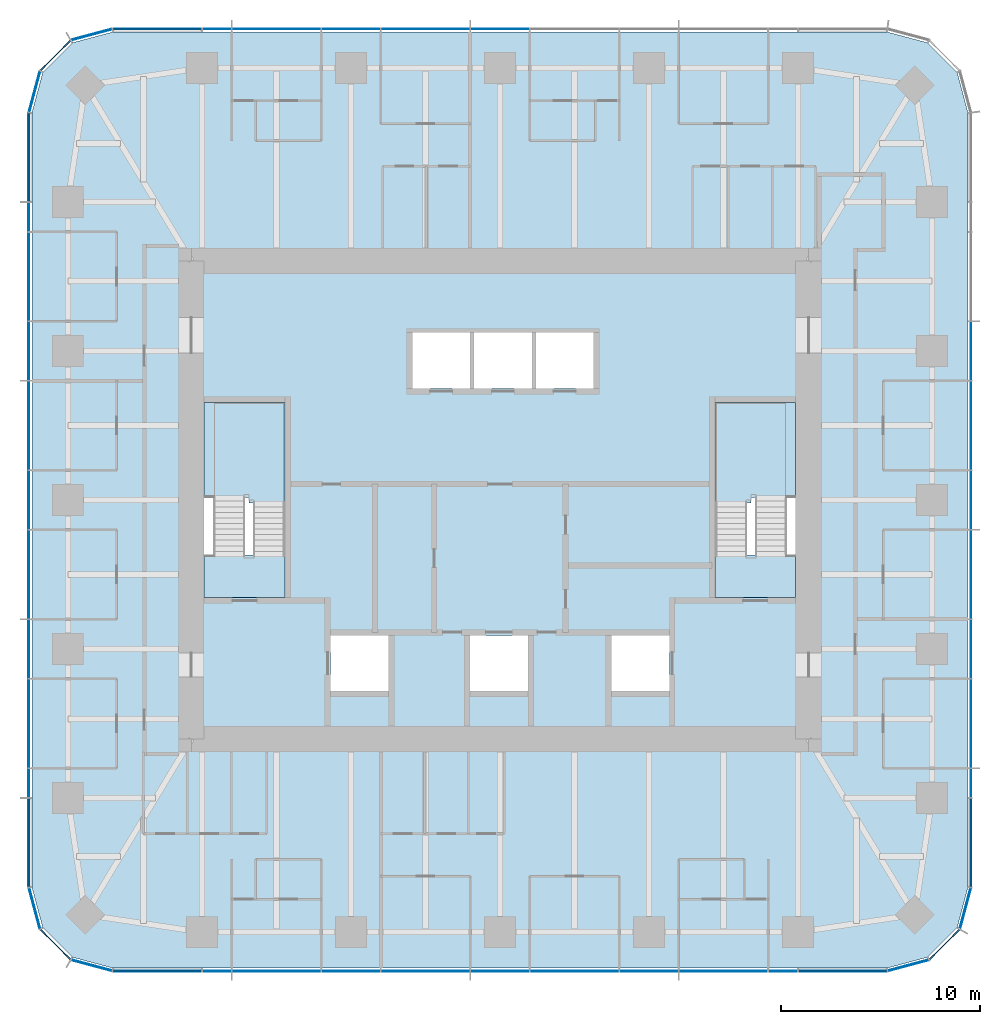
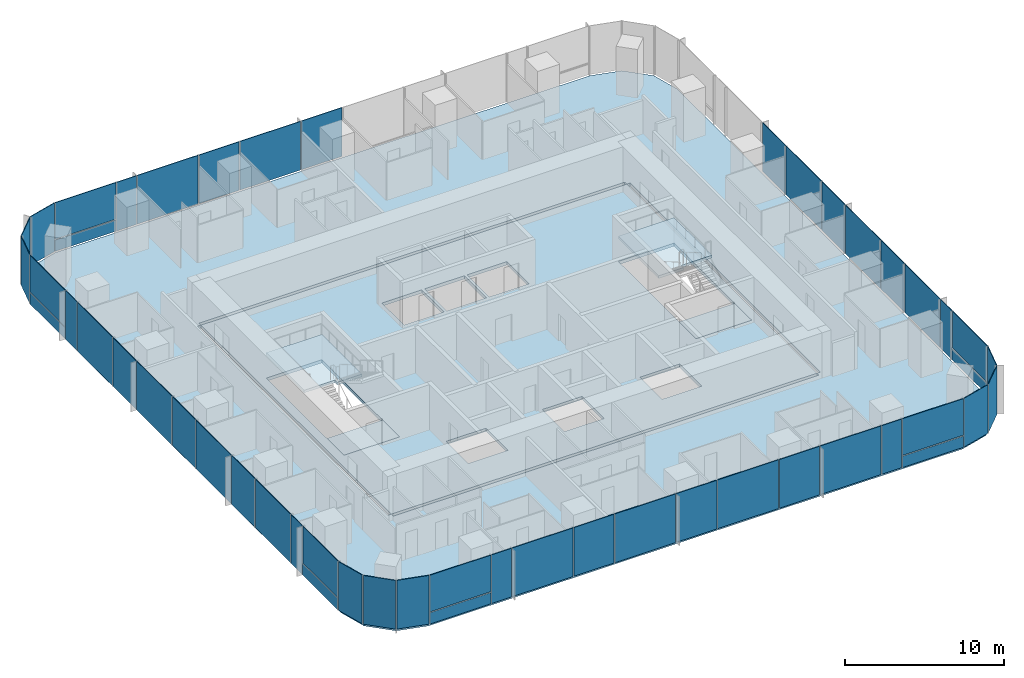
# One storey, part 7 of 12: 51 plates, 6 slabs, 9 elements without a shape of their own.
"""IFC4 building model written with IfcOpenShell, lengths in metres."""

from ifc_helpers import new_model, si_unit, direction, frame, origin, origin_2d, place, context, subcontext, project, spatial, polyline, rectangle, outline, extrude, material, layer, layer_set, type_object, element, aggregate, save


model = new_model("IFC4")

# Units and contexts
model_context = context("Model", 3, precision=1e-05, world=origin(), true_north=direction((0.0, 1.0)))
body_context = subcontext(model_context, "Body", "Model", "MODEL_VIEW")
ifc_project = project(units=[si_unit("LENGTHUNIT", "METRE"), si_unit("AREAUNIT", "SQUARE_METRE"), si_unit("VOLUMEUNIT", "CUBIC_METRE"), si_unit("PLANEANGLEUNIT", "RADIAN"), si_unit("MASSUNIT", "GRAM", prefix="KILO")], contexts=[model_context])

# Site, building, storey
site_placement = place(None, origin())
site = spatial("IfcSite", under=ifc_project, at=site_placement, CompositionType="ELEMENT")
building_placement = place(site_placement, origin())
building = spatial("IfcBuilding", under=site, at=building_placement, Name="Khuree Lantern Residences", CompositionType="ELEMENT")
storey_placement = place(building_placement, frame((0.0, 0.0, 304.5)))
storey = spatial("IfcBuildingStorey", under=building, at=storey_placement, Name="L76", CompositionType="ELEMENT", Elevation=304.5)

# Slab
ifc_material_1 = material(Name="Concrete C35/45", Category="concrete")
ifc_layer_1 = layer(ifc_material_1, 0.25)
ifc_layer_set_1 = layer_set([ifc_layer_1], Name="CFL250 CORE FLOOR SLAB 250")
slab_type_1 = type_object("IfcSlabType", Name="CFL250 CORE FLOOR SLAB 250", PredefinedType="FLOOR", material=ifc_layer_set_1)
slab_1_placement = place(storey_placement, frame((0.0, 0.0, -0.25)))
element("IfcSlab", 1, at=slab_1_placement, inside=storey, type_object=slab_type_1, Name="Core floor L76", PredefinedType="FLOOR", context=body_context, shape_type="SweptSolid", body=[
    extrude(outline(polyline([(-15.5, -12.0), (-15.5, 12.0), (15.5, 12.0), (15.5, -12.0), (-15.5, -12.0)]), holes=[polyline([(10.800048828125, 4.89990234375), (10.800048828125, -4.89990234375), (14.85009765625, -4.89990234375), (14.85009765625, 4.89990234375), (10.800048828125, 4.89990234375)]), polyline([(5.60009765625, -6.800048828125), (5.60009765625, -9.60009765625), (8.5, -9.60009765625), (8.5, -6.800048828125), (5.60009765625, -6.800048828125)]), polyline([(1.800048828125, 8.39990234375), (1.800048828125, 5.60009765625), (4.699951171875, 5.60009765625), (4.699951171875, 8.39990234375), (1.800048828125, 8.39990234375)]), polyline([(-1.300048828125, 8.39990234375), (-1.300048828125, 5.60009765625), (1.60009765625, 5.60009765625), (1.60009765625, 8.39990234375), (-1.300048828125, 8.39990234375)]), polyline([(-1.5, -6.800048828125), (-1.5, -9.60009765625), (1.39990234375, -9.60009765625), (1.39990234375, -6.800048828125), (-1.5, -6.800048828125)]), polyline([(-4.39990234375, 8.39990234375), (-4.39990234375, 5.60009765625), (-1.5, 5.60009765625), (-1.5, 8.39990234375), (-4.39990234375, 8.39990234375)]), polyline([(-8.5, -6.800048828125), (-8.5, -9.60009765625), (-5.60009765625, -9.60009765625), (-5.60009765625, -6.800048828125), (-8.5, -6.800048828125)]), polyline([(-14.85009765625, 4.89990234375), (-14.85009765625, -4.89990234375), (-10.800048828125, -4.89990234375), (-10.800048828125, 4.89990234375), (-14.85009765625, 4.89990234375)])]), origin(), (0.0, 0.0, 1.0), 0.25),
])

# Curtain wall, plates
ifc_material_2 = material(Name="Bronze anodised aluminium", Category="aluminium")
curtain_wall_type_1 = type_object("IfcCurtainWallType", Name="CW-T2 TOWER CORNER CURTAIN WALL", PredefinedType="USERDEFINED", material=ifc_material_2)
curtain_wall_1_placement = place(storey_placement, origin())
curtain_wall_1 = element("IfcCurtainWall", 2, at=curtain_wall_1_placement, inside=storey, type_object=curtain_wall_type_1, Name="L76 SOUTH-EAST CORNER CURTAIN WALL", ObjectType="Faceted corner curtain wall", PredefinedType="USERDEFINED")
ifc_material_3 = material(Name="Bronze tinted triple glazing", Category="glass")
ifc_layer_2 = layer(ifc_material_3, 0.048095703125)
ifc_layer_set_2 = layer_set([ifc_layer_2], Name="FACET PANEL P4")
plate_type_1 = type_object("IfcPlateType", Name="FACET PANEL P4", PredefinedType="CURTAIN_PANEL", material=ifc_layer_set_2)
plate_1_placement = place(storey_placement, frame((20.498046875, -23.369140625, 0.0), z_axis=(0.0, 0.0, 1.0), x_axis=(0.965925861257, 0.2588189146, 0.0)))
plate_1 = element("IfcPlate", 3, at=plate_1_placement, type_object=plate_type_1, Name="L76 SOUTH-EAST CORNER PANEL 1.1", PredefinedType="CURTAIN_PANEL", context=body_context, shape_type="SweptSolid", body=[
    extrude(rectangle(XDim=2.09814453125, YDim=0.048095703125, at=origin_2d()), origin(), (0.0, 0.0, 1.0), 3.75),
])
plate_2_placement = place(storey_placement, frame((22.318603515625, -22.318603515625, 0.0), z_axis=(0.0, 0.0, 1.0), x_axis=(0.707106781187, 0.707106781187, 0.0)))
plate_2 = element("IfcPlate", 4, at=plate_2_placement, type_object=plate_type_1, Name="L76 SOUTH-EAST CORNER PANEL 2.1", PredefinedType="CURTAIN_PANEL", context=body_context, shape_type="SweptSolid", body=[
    extrude(rectangle(XDim=2.093994140625, YDim=0.048095703125, at=origin_2d()), origin(), (0.0, 0.0, 1.0), 3.75),
])
plate_3_placement = place(storey_placement, frame((23.369140625, -20.498046875, 0.0), z_axis=(0.0, 0.0, 1.0), x_axis=(0.2588189146, 0.965925861257, 0.0)))
plate_3 = element("IfcPlate", 5, at=plate_3_placement, type_object=plate_type_1, Name="L76 SOUTH-EAST CORNER PANEL 3.1", PredefinedType="CURTAIN_PANEL", context=body_context, shape_type="SweptSolid", body=[
    extrude(rectangle(XDim=2.09814453125, YDim=0.048095703125, at=origin_2d()), origin(), (0.0, 0.0, 1.0), 3.75),
])
aggregate(curtain_wall_1, [plate_1, plate_2, plate_3])

curtain_wall_2_placement = place(storey_placement, origin())
curtain_wall_2 = element("IfcCurtainWall", 6, at=curtain_wall_2_placement, inside=storey, type_object=curtain_wall_type_1, Name="L76 NORTH-WEST CORNER CURTAIN WALL", ObjectType="Faceted corner curtain wall", PredefinedType="USERDEFINED")
plate_4_placement = place(storey_placement, frame((-20.498046875, 23.369140625, 0.0), z_axis=(0.0, 0.0, 1.0), x_axis=(-0.965925861257, -0.2588189146, 0.0)))
plate_4 = element("IfcPlate", 7, at=plate_4_placement, type_object=plate_type_1, Name="L76 NORTH-WEST CORNER PANEL 29.1", PredefinedType="CURTAIN_PANEL", context=body_context, shape_type="SweptSolid", body=[
    extrude(rectangle(XDim=2.09814453125, YDim=0.048095703125, at=origin_2d()), origin(), (0.0, 0.0, 1.0), 3.75),
])
plate_5_placement = place(storey_placement, frame((-22.318603515625, 22.318603515625, 0.0), z_axis=(0.0, 0.0, 1.0), x_axis=(-0.707106781187, -0.707106781187, 0.0)))
plate_5 = element("IfcPlate", 8, at=plate_5_placement, type_object=plate_type_1, Name="L76 NORTH-WEST CORNER PANEL 30.1", PredefinedType="CURTAIN_PANEL", context=body_context, shape_type="SweptSolid", body=[
    extrude(rectangle(XDim=2.093994140625, YDim=0.048095703125, at=origin_2d()), origin(), (0.0, 0.0, 1.0), 3.75),
])
plate_6_placement = place(storey_placement, frame((-23.369140625, 20.498046875, 0.0), z_axis=(0.0, 0.0, 1.0), x_axis=(-0.2588189146, -0.965925861257, 0.0)))
plate_6 = element("IfcPlate", 9, at=plate_6_placement, type_object=plate_type_1, Name="L76 NORTH-WEST CORNER PANEL 31.1", PredefinedType="CURTAIN_PANEL", context=body_context, shape_type="SweptSolid", body=[
    extrude(rectangle(XDim=2.09814453125, YDim=0.048095703125, at=origin_2d()), origin(), (0.0, 0.0, 1.0), 3.75),
])
aggregate(curtain_wall_2, [plate_4, plate_5, plate_6])

curtain_wall_3_placement = place(storey_placement, origin())
curtain_wall_3 = element("IfcCurtainWall", 10, at=curtain_wall_3_placement, inside=storey, type_object=curtain_wall_type_1, Name="L76 SOUTH-WEST CORNER CURTAIN WALL", ObjectType="Faceted corner curtain wall", PredefinedType="USERDEFINED")
plate_7_placement = place(storey_placement, frame((-23.369140625, -20.498046875, 0.0), z_axis=(0.0, 0.0, 1.0), x_axis=(0.2588189146, -0.965925861257, 0.0)))
plate_7 = element("IfcPlate", 11, at=plate_7_placement, type_object=plate_type_1, Name="L76 SOUTH-WEST CORNER PANEL 43.1", PredefinedType="CURTAIN_PANEL", context=body_context, shape_type="SweptSolid", body=[
    extrude(rectangle(XDim=2.09814453125, YDim=0.048095703125, at=origin_2d()), origin(), (0.0, 0.0, 1.0), 3.75),
])
plate_8_placement = place(storey_placement, frame((-22.318603515625, -22.318603515625, 0.0), z_axis=(0.0, 0.0, 1.0), x_axis=(0.707106781187, -0.707106781187, 0.0)))
plate_8 = element("IfcPlate", 12, at=plate_8_placement, type_object=plate_type_1, Name="L76 SOUTH-WEST CORNER PANEL 44.1", PredefinedType="CURTAIN_PANEL", context=body_context, shape_type="SweptSolid", body=[
    extrude(rectangle(XDim=2.093994140625, YDim=0.048095703125, at=origin_2d()), origin(), (0.0, 0.0, 1.0), 3.75),
])
plate_9_placement = place(storey_placement, frame((-20.498046875, -23.369140625, 0.0), z_axis=(0.0, 0.0, 1.0), x_axis=(0.965925861257, -0.2588189146, 0.0)))
plate_9 = element("IfcPlate", 13, at=plate_9_placement, type_object=plate_type_1, Name="L76 SOUTH-WEST CORNER PANEL 45.1", PredefinedType="CURTAIN_PANEL", context=body_context, shape_type="SweptSolid", body=[
    extrude(rectangle(XDim=2.09814453125, YDim=0.048095703125, at=origin_2d()), origin(), (0.0, 0.0, 1.0), 3.75),
])
aggregate(curtain_wall_3, [plate_7, plate_8, plate_9])

curtain_wall_type_2 = type_object("IfcCurtainWallType", Name="CW-T1 TOWER FACE CURTAIN WALL", PredefinedType="USERDEFINED", material=ifc_material_2)
curtain_wall_4_placement = place(storey_placement, origin())
curtain_wall_4 = element("IfcCurtainWall", 14, at=curtain_wall_4_placement, inside=storey, type_object=curtain_wall_type_2, Name="L76 EAST FACE CURTAIN WALL", ObjectType="Stick-built curtain wall", PredefinedType="USERDEFINED")
ifc_material_4 = material(Name="Bronze tinted triple glazing with a ceramic-fritted spandrel band", Category="glass")
ifc_layer_3 = layer(ifc_material_4, 0.048095703125)
ifc_layer_set_3 = layer_set([ifc_layer_3], Name="FIXED LIGHT PANEL P11")
plate_type_2 = type_object("IfcPlateType", Name="FIXED LIGHT PANEL P11", PredefinedType="CURTAIN_PANEL", material=ifc_layer_set_3)
plate_10_placement = place(storey_placement, frame((23.64990234375, -11.219970703125, 0.0), z_axis=(0.0, 0.0, 1.0), x_axis=(0.0, 1.0, 0.0)))
plate_10 = element("IfcPlate", 15, at=plate_10_placement, type_object=plate_type_2, Name="L76 EAST FACE PANEL 6.1", PredefinedType="CURTAIN_PANEL", context=body_context, shape_type="SweptSolid", body=[
    extrude(rectangle(XDim=4.423095703125, YDim=0.048095703125, at=origin_2d()), origin(), (0.0, 0.0, 1.0), 3.75),
])
plate_11_placement = place(storey_placement, frame((23.64990234375, -3.739990234375, 0.0), z_axis=(0.0, 0.0, 1.0), x_axis=(0.0, 1.0, 0.0)))
plate_11 = element("IfcPlate", 16, at=plate_11_placement, type_object=plate_type_2, Name="L76 EAST FACE PANEL 8.1", PredefinedType="CURTAIN_PANEL", context=body_context, shape_type="SweptSolid", body=[
    extrude(rectangle(XDim=4.423095703125, YDim=0.048095703125, at=origin_2d()), origin(), (0.0, 0.0, 1.0), 3.75),
])
plate_12_placement = place(storey_placement, frame((23.64990234375, 3.739990234375, 0.0), z_axis=(0.0, 0.0, 1.0), x_axis=(0.0, 1.0, 0.0)))
plate_12 = element("IfcPlate", 17, at=plate_12_placement, type_object=plate_type_2, Name="L76 EAST FACE PANEL 10.1", PredefinedType="CURTAIN_PANEL", context=body_context, shape_type="SweptSolid", body=[
    extrude(rectangle(XDim=4.423095703125, YDim=0.048095703125, at=origin_2d()), origin(), (0.0, 0.0, 1.0), 3.75),
])

curtain_wall_5_placement = place(storey_placement, origin())
curtain_wall_5 = element("IfcCurtainWall", 18, at=curtain_wall_5_placement, inside=storey, type_object=curtain_wall_type_2, Name="L76 NORTH FACE CURTAIN WALL", ObjectType="Stick-built curtain wall", PredefinedType="USERDEFINED")
plate_13_placement = place(storey_placement, frame((-3.739990234375, 23.64990234375, 0.0), z_axis=(0.0, 0.0, 1.0), x_axis=(-1.0, 0.0, 0.0)))
plate_13 = element("IfcPlate", 19, at=plate_13_placement, type_object=plate_type_2, Name="L76 NORTH FACE PANEL 24.1", PredefinedType="CURTAIN_PANEL", context=body_context, shape_type="SweptSolid", body=[
    extrude(rectangle(XDim=4.423095703125, YDim=0.048095703125, at=origin_2d()), origin(), (0.0, 0.0, 1.0), 3.75),
])
plate_14_placement = place(storey_placement, frame((-11.219970703125, 23.64990234375, 0.0), z_axis=(0.0, 0.0, 1.0), x_axis=(-1.0, 0.0, 0.0)))
plate_14 = element("IfcPlate", 20, at=plate_14_placement, type_object=plate_type_2, Name="L76 NORTH FACE PANEL 26.1", PredefinedType="CURTAIN_PANEL", context=body_context, shape_type="SweptSolid", body=[
    extrude(rectangle(XDim=4.423095703125, YDim=0.048095703125, at=origin_2d()), origin(), (0.0, 0.0, 1.0), 3.75),
])

curtain_wall_6_placement = place(storey_placement, origin())
curtain_wall_6 = element("IfcCurtainWall", 21, at=curtain_wall_6_placement, inside=storey, type_object=curtain_wall_type_2, Name="L76 WEST FACE CURTAIN WALL", ObjectType="Stick-built curtain wall", PredefinedType="USERDEFINED")
plate_15_placement = place(storey_placement, frame((-23.64990234375, 11.219970703125, 0.0), z_axis=(0.0, 0.0, 1.0), x_axis=(0.0, -1.0, 0.0)))
plate_15 = element("IfcPlate", 22, at=plate_15_placement, type_object=plate_type_2, Name="L76 WEST FACE PANEL 34.1", PredefinedType="CURTAIN_PANEL", context=body_context, shape_type="SweptSolid", body=[
    extrude(rectangle(XDim=4.423095703125, YDim=0.048095703125, at=origin_2d()), origin(), (0.0, 0.0, 1.0), 3.75),
])
plate_16_placement = place(storey_placement, frame((-23.64990234375, 3.739990234375, 0.0), z_axis=(0.0, 0.0, 1.0), x_axis=(0.0, -1.0, 0.0)))
plate_16 = element("IfcPlate", 23, at=plate_16_placement, type_object=plate_type_2, Name="L76 WEST FACE PANEL 36.1", PredefinedType="CURTAIN_PANEL", context=body_context, shape_type="SweptSolid", body=[
    extrude(rectangle(XDim=4.423095703125, YDim=0.048095703125, at=origin_2d()), origin(), (0.0, 0.0, 1.0), 3.75),
])
plate_17_placement = place(storey_placement, frame((-23.64990234375, -3.739990234375, 0.0), z_axis=(0.0, 0.0, 1.0), x_axis=(0.0, -1.0, 0.0)))
plate_17 = element("IfcPlate", 24, at=plate_17_placement, type_object=plate_type_2, Name="L76 WEST FACE PANEL 38.1", PredefinedType="CURTAIN_PANEL", context=body_context, shape_type="SweptSolid", body=[
    extrude(rectangle(XDim=4.423095703125, YDim=0.048095703125, at=origin_2d()), origin(), (0.0, 0.0, 1.0), 3.75),
])
plate_18_placement = place(storey_placement, frame((-23.64990234375, -11.219970703125, 0.0), z_axis=(0.0, 0.0, 1.0), x_axis=(0.0, -1.0, 0.0)))
plate_18 = element("IfcPlate", 25, at=plate_18_placement, type_object=plate_type_2, Name="L76 WEST FACE PANEL 40.1", PredefinedType="CURTAIN_PANEL", context=body_context, shape_type="SweptSolid", body=[
    extrude(rectangle(XDim=4.423095703125, YDim=0.048095703125, at=origin_2d()), origin(), (0.0, 0.0, 1.0), 3.75),
])

curtain_wall_7_placement = place(storey_placement, origin())
curtain_wall_7 = element("IfcCurtainWall", 26, at=curtain_wall_7_placement, inside=storey, type_object=curtain_wall_type_2, Name="L76 SOUTH FACE CURTAIN WALL", ObjectType="Stick-built curtain wall", PredefinedType="USERDEFINED")
plate_19_placement = place(storey_placement, frame((-11.219970703125, -23.64990234375, 0.0), z_axis=(0.0, 0.0, 1.0), x_axis=(1.0, 0.0, 0.0)))
plate_19 = element("IfcPlate", 27, at=plate_19_placement, type_object=plate_type_2, Name="L76 SOUTH FACE PANEL 48.1", PredefinedType="CURTAIN_PANEL", context=body_context, shape_type="SweptSolid", body=[
    extrude(rectangle(XDim=4.423095703125, YDim=0.048095703125, at=origin_2d()), origin(), (0.0, 0.0, 1.0), 3.75),
])
plate_20_placement = place(storey_placement, frame((-3.739990234375, -23.64990234375, 0.0), z_axis=(0.0, 0.0, 1.0), x_axis=(1.0, 0.0, 0.0)))
plate_20 = element("IfcPlate", 28, at=plate_20_placement, type_object=plate_type_2, Name="L76 SOUTH FACE PANEL 50.1", PredefinedType="CURTAIN_PANEL", context=body_context, shape_type="SweptSolid", body=[
    extrude(rectangle(XDim=4.423095703125, YDim=0.048095703125, at=origin_2d()), origin(), (0.0, 0.0, 1.0), 3.75),
])
plate_21_placement = place(storey_placement, frame((3.739990234375, -23.64990234375, 0.0), z_axis=(0.0, 0.0, 1.0), x_axis=(1.0, 0.0, 0.0)))
plate_21 = element("IfcPlate", 29, at=plate_21_placement, type_object=plate_type_2, Name="L76 SOUTH FACE PANEL 52.1", PredefinedType="CURTAIN_PANEL", context=body_context, shape_type="SweptSolid", body=[
    extrude(rectangle(XDim=4.423095703125, YDim=0.048095703125, at=origin_2d()), origin(), (0.0, 0.0, 1.0), 3.75),
])
plate_22_placement = place(storey_placement, frame((11.219970703125, -23.64990234375, 0.0), z_axis=(0.0, 0.0, 1.0), x_axis=(1.0, 0.0, 0.0)))
plate_22 = element("IfcPlate", 30, at=plate_22_placement, type_object=plate_type_2, Name="L76 SOUTH FACE PANEL 54.1", PredefinedType="CURTAIN_PANEL", context=body_context, shape_type="SweptSolid", body=[
    extrude(rectangle(XDim=4.423095703125, YDim=0.048095703125, at=origin_2d()), origin(), (0.0, 0.0, 1.0), 3.75),
])

# Slab
ifc_layer_4 = layer(ifc_material_1, 0.25)
ifc_layer_set_4 = layer_set([ifc_layer_4], Name="FS250 FLOOR SLAB 250")
slab_type_2 = type_object("IfcSlabType", Name="FS250 FLOOR SLAB 250", PredefinedType="FLOOR", material=ifc_layer_set_4)
slab_2_placement = place(storey_placement, frame((0.0, 0.0, -0.25)))
element("IfcSlab", 31, at=slab_2_placement, inside=storey, type_object=slab_type_2, Name="Floor slab L76", PredefinedType="FLOOR", context=body_context, shape_type="SweptSolid", body=[
    extrude(outline(polyline([(-21.47509765625, -22.95751953125), (-22.95751953125, -21.47509765625), (-23.5, -19.449951171875), (-23.5, 19.449951171875), (-22.95751953125, 21.47509765625), (-21.47509765625, 22.95751953125), (-19.449951171875, 23.5), (19.449951171875, 23.5), (21.47509765625, 22.95751953125), (22.95751953125, 21.47509765625), (23.5, 19.449951171875), (23.5, -19.449951171875), (22.95751953125, -21.47509765625), (21.47509765625, -22.95751953125), (19.449951171875, -23.5), (-19.449951171875, -23.5), (-21.47509765625, -22.95751953125)]), holes=[polyline([(15.75, 12.0), (15.5, 12.0), (15.5, 12.25), (-15.5, 12.25), (-15.5, 12.0), (-15.75, 12.0), (-15.75, -12.0), (-15.5, -12.0), (-15.5, -12.25), (15.5, -12.25), (15.5, -12.0), (15.75, -12.0), (15.75, 12.0)])]), origin(), (0.0, 0.0, 1.0), 0.25),
])

# Plate
ifc_material_5 = material(Name="Bronze tinted triple glazing, two aluminium-framed sashes in one frame", Category="aluminium")
ifc_layer_5 = layer(ifc_material_5, 0.048095703125)
ifc_layer_set_5 = layer_set([ifc_layer_5], Name="SASH PAIR PANEL P12")
plate_type_3 = type_object("IfcPlateType", Name="SASH PAIR PANEL P12", PredefinedType="CURTAIN_PANEL", material=ifc_layer_set_5)
plate_23_placement = place(storey_placement, frame((23.64990234375, -7.47998046875, 0.0), z_axis=(0.0, 0.0, 1.0), x_axis=(0.0, 1.0, 0.0)))
plate_23 = element("IfcPlate", 32, at=plate_23_placement, type_object=plate_type_3, Name="L76 EAST FACE PANEL 7.1", PredefinedType="CURTAIN_PANEL", context=body_context, shape_type="SweptSolid", body=[
    extrude(rectangle(XDim=2.927001953125, YDim=0.048095703125, at=origin_2d()), origin(), (0.0, 0.0, 1.0), 3.75),
])

plate_24_placement = place(storey_placement, frame((23.64990234375, 0.0, 0.0), z_axis=(0.0, 0.0, 1.0), x_axis=(0.0, 1.0, 0.0)))
plate_24 = element("IfcPlate", 33, at=plate_24_placement, type_object=plate_type_3, Name="L76 EAST FACE PANEL 9.1", PredefinedType="CURTAIN_PANEL", context=body_context, shape_type="SweptSolid", body=[
    extrude(rectangle(XDim=2.927001953125, YDim=0.048095703125, at=origin_2d()), origin(), (0.0, 0.0, 1.0), 3.75),
])

plate_25_placement = place(storey_placement, frame((23.64990234375, 7.47998046875, 0.0), z_axis=(0.0, 0.0, 1.0), x_axis=(0.0, 1.0, 0.0)))
plate_25 = element("IfcPlate", 34, at=plate_25_placement, type_object=plate_type_3, Name="L76 EAST FACE PANEL 11.1", PredefinedType="CURTAIN_PANEL", context=body_context, shape_type="SweptSolid", body=[
    extrude(rectangle(XDim=2.927001953125, YDim=0.048095703125, at=origin_2d()), origin(), (0.0, 0.0, 1.0), 3.75),
])

plate_26_placement = place(storey_placement, frame((0.0, 23.64990234375, 0.0), z_axis=(0.0, 0.0, 1.0), x_axis=(-1.0, 0.0, 0.0)))
plate_26 = element("IfcPlate", 35, at=plate_26_placement, type_object=plate_type_3, Name="L76 NORTH FACE PANEL 23.1", PredefinedType="CURTAIN_PANEL", context=body_context, shape_type="SweptSolid", body=[
    extrude(rectangle(XDim=2.927001953125, YDim=0.048095703125, at=origin_2d()), origin(), (0.0, 0.0, 1.0), 3.75),
])

plate_27_placement = place(storey_placement, frame((-7.47998046875, 23.64990234375, 0.0), z_axis=(0.0, 0.0, 1.0), x_axis=(-1.0, 0.0, 0.0)))
plate_27 = element("IfcPlate", 36, at=plate_27_placement, type_object=plate_type_3, Name="L76 NORTH FACE PANEL 25.1", PredefinedType="CURTAIN_PANEL", context=body_context, shape_type="SweptSolid", body=[
    extrude(rectangle(XDim=2.927001953125, YDim=0.048095703125, at=origin_2d()), origin(), (0.0, 0.0, 1.0), 3.75),
])

plate_28_placement = place(storey_placement, frame((-23.64990234375, 7.47998046875, 0.0), z_axis=(0.0, 0.0, 1.0), x_axis=(0.0, -1.0, 0.0)))
plate_28 = element("IfcPlate", 37, at=plate_28_placement, type_object=plate_type_3, Name="L76 WEST FACE PANEL 35.1", PredefinedType="CURTAIN_PANEL", context=body_context, shape_type="SweptSolid", body=[
    extrude(rectangle(XDim=2.927001953125, YDim=0.048095703125, at=origin_2d()), origin(), (0.0, 0.0, 1.0), 3.75),
])

plate_29_placement = place(storey_placement, frame((-23.64990234375, 0.0, 0.0), z_axis=(0.0, 0.0, 1.0), x_axis=(0.0, -1.0, 0.0)))
plate_29 = element("IfcPlate", 38, at=plate_29_placement, type_object=plate_type_3, Name="L76 WEST FACE PANEL 37.1", PredefinedType="CURTAIN_PANEL", context=body_context, shape_type="SweptSolid", body=[
    extrude(rectangle(XDim=2.927001953125, YDim=0.048095703125, at=origin_2d()), origin(), (0.0, 0.0, 1.0), 3.75),
])

plate_30_placement = place(storey_placement, frame((-23.64990234375, -7.47998046875, 0.0), z_axis=(0.0, 0.0, 1.0), x_axis=(0.0, -1.0, 0.0)))
plate_30 = element("IfcPlate", 39, at=plate_30_placement, type_object=plate_type_3, Name="L76 WEST FACE PANEL 39.1", PredefinedType="CURTAIN_PANEL", context=body_context, shape_type="SweptSolid", body=[
    extrude(rectangle(XDim=2.927001953125, YDim=0.048095703125, at=origin_2d()), origin(), (0.0, 0.0, 1.0), 3.75),
])

plate_31_placement = place(storey_placement, frame((-7.47998046875, -23.64990234375, 0.0), z_axis=(0.0, 0.0, 1.0), x_axis=(1.0, 0.0, 0.0)))
plate_31 = element("IfcPlate", 40, at=plate_31_placement, type_object=plate_type_3, Name="L76 SOUTH FACE PANEL 49.1", PredefinedType="CURTAIN_PANEL", context=body_context, shape_type="SweptSolid", body=[
    extrude(rectangle(XDim=2.927001953125, YDim=0.048095703125, at=origin_2d()), origin(), (0.0, 0.0, 1.0), 3.75),
])

plate_32_placement = place(storey_placement, frame((0.0, -23.64990234375, 0.0), z_axis=(0.0, 0.0, 1.0), x_axis=(1.0, 0.0, 0.0)))
plate_32 = element("IfcPlate", 41, at=plate_32_placement, type_object=plate_type_3, Name="L76 SOUTH FACE PANEL 51.1", PredefinedType="CURTAIN_PANEL", context=body_context, shape_type="SweptSolid", body=[
    extrude(rectangle(XDim=2.927001953125, YDim=0.048095703125, at=origin_2d()), origin(), (0.0, 0.0, 1.0), 3.75),
])

plate_33_placement = place(storey_placement, frame((7.47998046875, -23.64990234375, 0.0), z_axis=(0.0, 0.0, 1.0), x_axis=(1.0, 0.0, 0.0)))
plate_33 = element("IfcPlate", 42, at=plate_33_placement, type_object=plate_type_3, Name="L76 SOUTH FACE PANEL 53.1", PredefinedType="CURTAIN_PANEL", context=body_context, shape_type="SweptSolid", body=[
    extrude(rectangle(XDim=2.927001953125, YDim=0.048095703125, at=origin_2d()), origin(), (0.0, 0.0, 1.0), 3.75),
])

ifc_material_6 = material(Name="Bronze tinted triple glazing, aluminium-framed sash", Category="aluminium")
ifc_layer_6 = layer(ifc_material_6, 0.048095703125)
ifc_layer_set_6 = layer_set([ifc_layer_6], Name="SASH PANEL P3")
plate_type_4 = type_object("IfcPlateType", Name="SASH PANEL P3", PredefinedType="CURTAIN_PANEL", material=ifc_layer_set_6)
plate_34_placement = place(storey_placement, frame((23.64990234375, -14.2119140625, 0.0), z_axis=(0.0, 0.0, 1.0), x_axis=(0.0, 1.0, 0.0)))
plate_34 = element("IfcPlate", 43, at=plate_34_placement, type_object=plate_type_4, Name="L76 EAST FACE PANEL 5.1", PredefinedType="CURTAIN_PANEL", context=body_context, shape_type="SweptSolid", body=[
    extrude(rectangle(XDim=1.430908203125, YDim=0.048095703125, at=origin_2d()), origin(), (0.0, 0.0, 1.0), 3.75),
])

plate_35_placement = place(storey_placement, frame((-14.2119140625, 23.64990234375, 0.0), z_axis=(0.0, 0.0, 1.0), x_axis=(-1.0, 0.0, 0.0)))
plate_35 = element("IfcPlate", 44, at=plate_35_placement, type_object=plate_type_4, Name="L76 NORTH FACE PANEL 27.1", PredefinedType="CURTAIN_PANEL", context=body_context, shape_type="SweptSolid", body=[
    extrude(rectangle(XDim=1.430908203125, YDim=0.048095703125, at=origin_2d()), origin(), (0.0, 0.0, 1.0), 3.75),
])

plate_36_placement = place(storey_placement, frame((-23.64990234375, 14.2119140625, 0.0), z_axis=(0.0, 0.0, 1.0), x_axis=(0.0, -1.0, 0.0)))
plate_36 = element("IfcPlate", 45, at=plate_36_placement, type_object=plate_type_4, Name="L76 WEST FACE PANEL 33.1", PredefinedType="CURTAIN_PANEL", context=body_context, shape_type="SweptSolid", body=[
    extrude(rectangle(XDim=1.430908203125, YDim=0.048095703125, at=origin_2d()), origin(), (0.0, 0.0, 1.0), 3.75),
])

plate_37_placement = place(storey_placement, frame((-23.64990234375, -14.2119140625, 0.0), z_axis=(0.0, 0.0, 1.0), x_axis=(0.0, -1.0, 0.0)))
plate_37 = element("IfcPlate", 46, at=plate_37_placement, type_object=plate_type_4, Name="L76 WEST FACE PANEL 41.1", PredefinedType="CURTAIN_PANEL", context=body_context, shape_type="SweptSolid", body=[
    extrude(rectangle(XDim=1.430908203125, YDim=0.048095703125, at=origin_2d()), origin(), (0.0, 0.0, 1.0), 3.75),
])

plate_38_placement = place(storey_placement, frame((-14.2119140625, -23.64990234375, 0.0), z_axis=(0.0, 0.0, 1.0), x_axis=(1.0, 0.0, 0.0)))
plate_38 = element("IfcPlate", 47, at=plate_38_placement, type_object=plate_type_4, Name="L76 SOUTH FACE PANEL 47.1", PredefinedType="CURTAIN_PANEL", context=body_context, shape_type="SweptSolid", body=[
    extrude(rectangle(XDim=1.430908203125, YDim=0.048095703125, at=origin_2d()), origin(), (0.0, 0.0, 1.0), 3.75),
])

plate_39_placement = place(storey_placement, frame((14.2119140625, -23.64990234375, 0.0), z_axis=(0.0, 0.0, 1.0), x_axis=(1.0, 0.0, 0.0)))
plate_39 = element("IfcPlate", 48, at=plate_39_placement, type_object=plate_type_4, Name="L76 SOUTH FACE PANEL 55.1", PredefinedType="CURTAIN_PANEL", context=body_context, shape_type="SweptSolid", body=[
    extrude(rectangle(XDim=1.430908203125, YDim=0.048095703125, at=origin_2d()), origin(), (0.0, 0.0, 1.0), 3.75),
])

ifc_material_7 = material(Name="Bronze anodised aluminium insulated spandrel", Category="aluminium")
ifc_layer_7 = layer(ifc_material_7, 0.06005859375)
ifc_layer_set_7 = layer_set([ifc_layer_7], Name="SPANDREL PANEL P2")
plate_type_5 = type_object("IfcPlateType", Name="SPANDREL PANEL P2", PredefinedType="CURTAIN_PANEL", material=ifc_layer_set_7)
plate_40_placement = place(storey_placement, frame((23.64990234375, -17.202880859375, 0.0), z_axis=(0.0, 0.0, 1.0), x_axis=(0.0, 1.0, 0.0)))
plate_40 = element("IfcPlate", 49, at=plate_40_placement, type_object=plate_type_5, Name="L76 EAST FACE PANEL 4.1", PredefinedType="CURTAIN_PANEL", context=body_context, shape_type="SweptSolid", body=[
    extrude(rectangle(XDim=4.420654296875, YDim=0.06005859375, at=origin_2d()), origin(), (0.0, 0.0, 1.0), 0.867431640625),
])

plate_41_placement = place(storey_placement, frame((-17.202880859375, 23.64990234375, 0.0), z_axis=(0.0, 0.0, 1.0), x_axis=(-1.0, 0.0, 0.0)))
plate_41 = element("IfcPlate", 50, at=plate_41_placement, type_object=plate_type_5, Name="L76 NORTH FACE PANEL 28.1", PredefinedType="CURTAIN_PANEL", context=body_context, shape_type="SweptSolid", body=[
    extrude(rectangle(XDim=4.420654296875, YDim=0.06005859375, at=origin_2d()), origin(), (0.0, 0.0, 1.0), 0.867431640625),
])

plate_42_placement = place(storey_placement, frame((-23.64990234375, 17.202880859375, 0.0), z_axis=(0.0, 0.0, 1.0), x_axis=(0.0, -1.0, 0.0)))
plate_42 = element("IfcPlate", 51, at=plate_42_placement, type_object=plate_type_5, Name="L76 WEST FACE PANEL 32.1", PredefinedType="CURTAIN_PANEL", context=body_context, shape_type="SweptSolid", body=[
    extrude(rectangle(XDim=4.420654296875, YDim=0.06005859375, at=origin_2d()), origin(), (0.0, 0.0, 1.0), 0.867431640625),
])

plate_43_placement = place(storey_placement, frame((-23.64990234375, -17.202880859375, 0.0), z_axis=(0.0, 0.0, 1.0), x_axis=(0.0, -1.0, 0.0)))
plate_43 = element("IfcPlate", 52, at=plate_43_placement, type_object=plate_type_5, Name="L76 WEST FACE PANEL 42.1", PredefinedType="CURTAIN_PANEL", context=body_context, shape_type="SweptSolid", body=[
    extrude(rectangle(XDim=4.420654296875, YDim=0.06005859375, at=origin_2d()), origin(), (0.0, 0.0, 1.0), 0.867431640625),
])

plate_44_placement = place(storey_placement, frame((-17.202880859375, -23.64990234375, 0.0), z_axis=(0.0, 0.0, 1.0), x_axis=(1.0, 0.0, 0.0)))
plate_44 = element("IfcPlate", 53, at=plate_44_placement, type_object=plate_type_5, Name="L76 SOUTH FACE PANEL 46.1", PredefinedType="CURTAIN_PANEL", context=body_context, shape_type="SweptSolid", body=[
    extrude(rectangle(XDim=4.420654296875, YDim=0.06005859375, at=origin_2d()), origin(), (0.0, 0.0, 1.0), 0.867431640625),
])

plate_45_placement = place(storey_placement, frame((17.202880859375, -23.64990234375, 0.0), z_axis=(0.0, 0.0, 1.0), x_axis=(1.0, 0.0, 0.0)))
plate_45 = element("IfcPlate", 54, at=plate_45_placement, type_object=plate_type_5, Name="L76 SOUTH FACE PANEL 56.1", PredefinedType="CURTAIN_PANEL", context=body_context, shape_type="SweptSolid", body=[
    extrude(rectangle(XDim=4.420654296875, YDim=0.06005859375, at=origin_2d()), origin(), (0.0, 0.0, 1.0), 0.867431640625),
])

# Stair, slabs
ifc_material_8 = material(Name="Concrete C40/50", Category="concrete")
stair_type = type_object("IfcStairType", Name="STAIR ST1 HALF TURN 3600", PredefinedType="HALF_TURN_STAIR", material=ifc_material_8)
stair_1_placement = place(storey_placement, origin())
stair_1 = element("IfcStair", 55, at=stair_1_placement, inside=storey, type_object=stair_type, Name="Stair ST1", PredefinedType="HALF_TURN_STAIR")
ifc_layer_8 = layer(ifc_material_8, 0.199951171875)
ifc_layer_set_8 = layer_set([ifc_layer_8], Name="STAIR LANDING SL1 200")
slab_type_3 = type_object("IfcSlabType", Name="STAIR LANDING SL1 200", PredefinedType="LANDING", material=ifc_layer_set_8)
slab_3_placement = place(storey_placement, frame((0.0, 0.0, -0.199951171875)))
slab_3 = element("IfcSlab", 56, at=slab_3_placement, type_object=slab_type_3, Name="ST1 landing 1", PredefinedType="LANDING", context=body_context, shape_type="SweptSolid", body=[
    extrude(outline(polyline([(-14.85009765625, -4.89990234375), (-10.800048828125, -4.89990234375), (-10.800048828125, -2.760009765625), (-14.85009765625, -2.760009765625), (-14.85009765625, -4.89990234375)])), origin(), (0.0, 0.0, 1.0), 0.199951171875),
])
slab_4_placement = place(storey_placement, frame((0.0, 0.0, 1.756591796875)))
slab_4 = element("IfcSlab", 57, at=slab_4_placement, type_object=slab_type_3, Name="ST1 landing 2", PredefinedType="LANDING", context=body_context, shape_type="SweptSolid", body=[
    extrude(outline(polyline([(-14.85009765625, 0.1201171875), (-14.85009765625, 4.89990234375), (-10.800048828125, 4.89990234375), (-10.800048828125, -0.159912109375), (-12.60009765625, -0.159912109375), (-12.60009765625, 0.1201171875), (-14.85009765625, 0.1201171875)])), origin(), (0.0, 0.0, 1.0), 0.199951171875),
])
aggregate(stair_1, [slab_3, slab_4])

stair_2_placement = place(storey_placement, origin())
stair_2 = element("IfcStair", 58, at=stair_2_placement, inside=storey, type_object=stair_type, Name="Stair ST2", PredefinedType="HALF_TURN_STAIR")
slab_5_placement = place(storey_placement, frame((0.0, 0.0, -0.199951171875)))
slab_5 = element("IfcSlab", 59, at=slab_5_placement, type_object=slab_type_3, Name="ST2 landing 1", PredefinedType="LANDING", context=body_context, shape_type="SweptSolid", body=[
    extrude(outline(polyline([(10.800048828125, -4.89990234375), (14.85009765625, -4.89990234375), (14.85009765625, -2.760009765625), (10.800048828125, -2.760009765625), (10.800048828125, -4.89990234375)])), origin(), (0.0, 0.0, 1.0), 0.199951171875),
])
slab_6_placement = place(storey_placement, frame((0.0, 0.0, 1.756591796875)))
slab_6 = element("IfcSlab", 60, at=slab_6_placement, type_object=slab_type_3, Name="ST2 landing 2", PredefinedType="LANDING", context=body_context, shape_type="SweptSolid", body=[
    extrude(outline(polyline([(14.85009765625, 4.89990234375), (14.85009765625, 0.1201171875), (12.60009765625, 0.1201171875), (12.60009765625, -0.159912109375), (10.800048828125, -0.159912109375), (10.800048828125, 4.89990234375), (14.85009765625, 4.89990234375)])), origin(), (0.0, 0.0, 1.0), 0.199951171875),
])
aggregate(stair_2, [slab_5, slab_6])

# Plate
ifc_layer_9 = layer(ifc_material_3, 0.048095703125)
ifc_layer_set_9 = layer_set([ifc_layer_9], Name="VISION PANEL P1")
plate_type_6 = type_object("IfcPlateType", Name="VISION PANEL P1", PredefinedType="CURTAIN_PANEL", material=ifc_layer_set_9)
plate_46_placement = place(storey_placement, frame((23.64990234375, -17.203369140625, 0.9326171875), z_axis=(0.0, 0.0, 1.0), x_axis=(0.0, 1.0, 0.0)))
plate_46 = element("IfcPlate", 61, at=plate_46_placement, type_object=plate_type_6, Name="L76 EAST FACE PANEL 4.2", PredefinedType="CURTAIN_PANEL", context=body_context, shape_type="SweptSolid", body=[
    extrude(rectangle(XDim=4.421630859375, YDim=0.048095703125, at=origin_2d()), origin(), (0.0, 0.0, 1.0), 2.8173828125),
])

aggregate(curtain_wall_4, [plate_40, plate_46, plate_34, plate_10, plate_23, plate_11, plate_24, plate_12, plate_25])

plate_47_placement = place(storey_placement, frame((-17.203369140625, 23.64990234375, 0.9326171875), z_axis=(0.0, 0.0, 1.0), x_axis=(-1.0, 0.0, 0.0)))
plate_47 = element("IfcPlate", 62, at=plate_47_placement, type_object=plate_type_6, Name="L76 NORTH FACE PANEL 28.2", PredefinedType="CURTAIN_PANEL", context=body_context, shape_type="SweptSolid", body=[
    extrude(rectangle(XDim=4.421630859375, YDim=0.048095703125, at=origin_2d()), origin(), (0.0, 0.0, 1.0), 2.8173828125),
])

aggregate(curtain_wall_5, [plate_26, plate_13, plate_27, plate_14, plate_35, plate_41, plate_47])

plate_48_placement = place(storey_placement, frame((-23.64990234375, 17.203369140625, 0.9326171875), z_axis=(0.0, 0.0, 1.0), x_axis=(0.0, -1.0, 0.0)))
plate_48 = element("IfcPlate", 63, at=plate_48_placement, type_object=plate_type_6, Name="L76 WEST FACE PANEL 32.2", PredefinedType="CURTAIN_PANEL", context=body_context, shape_type="SweptSolid", body=[
    extrude(rectangle(XDim=4.421630859375, YDim=0.048095703125, at=origin_2d()), origin(), (0.0, 0.0, 1.0), 2.8173828125),
])

plate_49_placement = place(storey_placement, frame((-23.64990234375, -17.203369140625, 0.9326171875), z_axis=(0.0, 0.0, 1.0), x_axis=(0.0, -1.0, 0.0)))
plate_49 = element("IfcPlate", 64, at=plate_49_placement, type_object=plate_type_6, Name="L76 WEST FACE PANEL 42.2", PredefinedType="CURTAIN_PANEL", context=body_context, shape_type="SweptSolid", body=[
    extrude(rectangle(XDim=4.421630859375, YDim=0.048095703125, at=origin_2d()), origin(), (0.0, 0.0, 1.0), 2.8173828125),
])

aggregate(curtain_wall_6, [plate_42, plate_48, plate_36, plate_15, plate_28, plate_16, plate_29, plate_17, plate_30, plate_18, plate_37, plate_43, plate_49])

plate_50_placement = place(storey_placement, frame((-17.203369140625, -23.64990234375, 0.9326171875), z_axis=(0.0, 0.0, 1.0), x_axis=(1.0, 0.0, 0.0)))
plate_50 = element("IfcPlate", 65, at=plate_50_placement, type_object=plate_type_6, Name="L76 SOUTH FACE PANEL 46.2", PredefinedType="CURTAIN_PANEL", context=body_context, shape_type="SweptSolid", body=[
    extrude(rectangle(XDim=4.421630859375, YDim=0.048095703125, at=origin_2d()), origin(), (0.0, 0.0, 1.0), 2.8173828125),
])

plate_51_placement = place(storey_placement, frame((17.203369140625, -23.64990234375, 0.9326171875), z_axis=(0.0, 0.0, 1.0), x_axis=(1.0, 0.0, 0.0)))
plate_51 = element("IfcPlate", 66, at=plate_51_placement, type_object=plate_type_6, Name="L76 SOUTH FACE PANEL 56.2", PredefinedType="CURTAIN_PANEL", context=body_context, shape_type="SweptSolid", body=[
    extrude(rectangle(XDim=4.421630859375, YDim=0.048095703125, at=origin_2d()), origin(), (0.0, 0.0, 1.0), 2.8173828125),
])

aggregate(curtain_wall_7, [plate_44, plate_50, plate_38, plate_19, plate_31, plate_20, plate_32, plate_21, plate_33, plate_22, plate_39, plate_45, plate_51])

save(model, "model.ifc")
